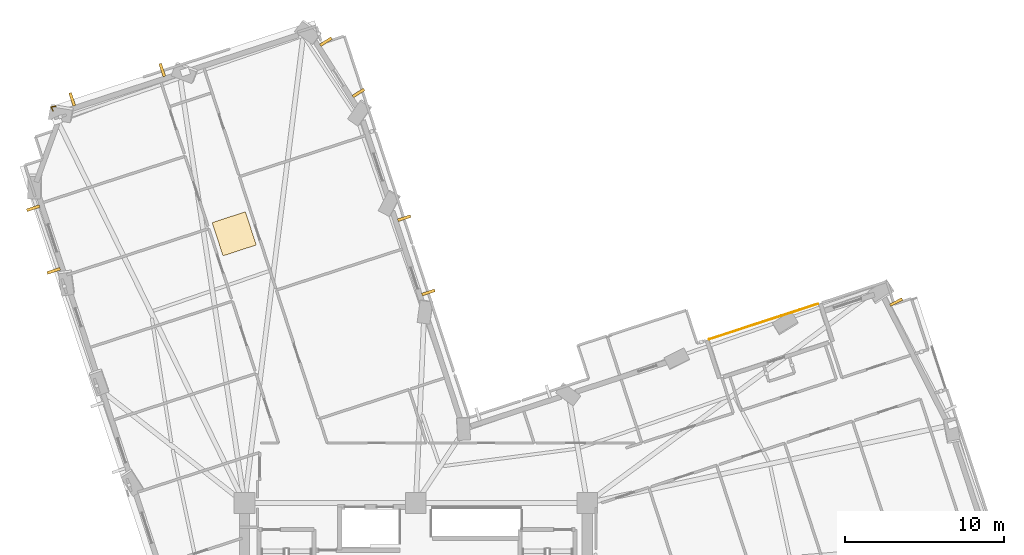
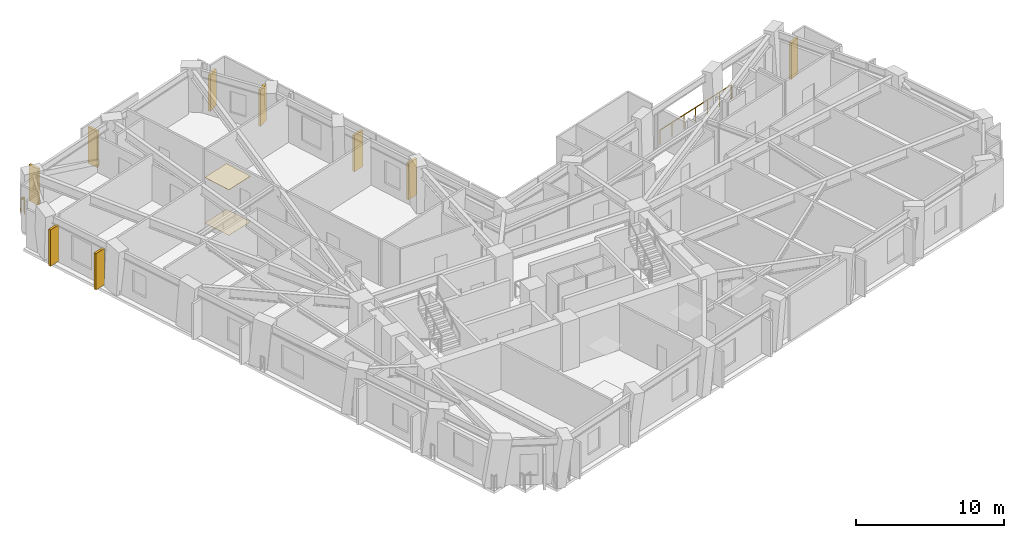
# One storey, part 15 of 16: 9 shading devices, 2 coverings, 2 railings.
"""IFC4 building model written with IfcOpenShell, lengths in metres."""

import ifcopenshell
import ifcopenshell.guid

model = None  # the IFC model being written
_history = None  # IfcOwnerHistory: only IFC2X3 demands one
_inside = {}  # id of a spatial element -> (the spatial element, [elements in it])
_under = {}  # id of a project, library or spatial element -> (it, [spatial elements below it])
_declared = {}  # id of a project -> (the project, [libraries it declares])
_typed = {}  # id of a type object -> (the type object, [elements of that type])
_made_of = {}  # id of a material, layer set ... -> (it, [elements and type objects made of it])


def new_model(schema):
    """Start an empty IFC model of exactly this schema.

    Asked for "IFC4X3", IfcOpenShell would pick the latest addendum, in which some entities
    have other attributes; the version numbers below select the first issue.
    IFC2X3 requires an IfcOwnerHistory on every rooted entity: one is made here for all.
    """
    global model, _history
    if schema == "IFC4X3":
        model = ifcopenshell.file(schema_version=(4, 3, 0, 0))
    else:
        model = ifcopenshell.file(schema=schema)
    _inside.clear()
    _under.clear()
    _declared.clear()
    _typed.clear()
    _made_of.clear()
    _history = None
    if model.schema == "IFC2X3":
        org = make("IfcOrganization", Name="unknown")
        user = make(
            "IfcPersonAndOrganization",
            ThePerson=make("IfcPerson", FamilyName="unknown"),
            TheOrganization=org,
        )
        app = make(
            "IfcApplication",
            ApplicationDeveloper=org,
            Version="unknown",
            ApplicationFullName="unknown",
            ApplicationIdentifier="unknown",
        )
        _history = make(
            "IfcOwnerHistory",
            OwningUser=user,
            OwningApplication=app,
            ChangeAction="ADDED",
            CreationDate=0,
        )
    return model


def make(cls, **values):
    """One entity of the class cls with the attributes given. An attribute that is None is left unset."""
    return model.create_entity(
        cls, **{name: value for name, value in values.items() if value is not None}
    )


def rooted(cls, **values):
    """An entity with a GlobalId (a new one), such as an element, a storey or a relation."""
    return make(cls, GlobalId=ifcopenshell.guid.new(), OwnerHistory=_history, **values)


def si_unit(unit_type, name, prefix=None):
    """IfcSIUnit, for example si_unit("LENGTHUNIT", "METRE", prefix="MILLI")."""
    return make("IfcSIUnit", UnitType=unit_type, Prefix=prefix, Name=name)


def assignment(units):
    """IfcUnitAssignment: the units of a project."""
    return None if units is None else make("IfcUnitAssignment", Units=units)


def point(xyz):
    """IfcCartesianPoint."""
    return None if xyz is None else make("IfcCartesianPoint", Coordinates=xyz)


def direction(xyz):
    """IfcDirection."""
    return None if xyz is None else make("IfcDirection", DirectionRatios=xyz)


def frame(location, z_axis=None, x_axis=None):
    """IfcAxis2Placement3D, a coordinate frame: its origin and axes. An axis left out is left unset."""
    return make(
        "IfcAxis2Placement3D",
        Location=point(location),
        Axis=direction(z_axis),
        RefDirection=direction(x_axis),
    )


def frame_2d(location, x_axis=None):
    """IfcAxis2Placement2D, a coordinate frame in the plane: its origin and x axis."""
    return make(
        "IfcAxis2Placement2D", Location=point(location), RefDirection=direction(x_axis)
    )


def origin():
    """The frame at (0, 0, 0) with its axes left unset."""
    return frame((0.0, 0.0, 0.0))


def origin_2d():
    """The frame at (0, 0) in the plane with its x axis left unset."""
    return frame_2d((0.0, 0.0))


def place(relative_to, where):
    """IfcLocalPlacement: puts the frame where relative to a parent placement (None: the world)."""
    return make(
        "IfcLocalPlacement", PlacementRelTo=relative_to, RelativePlacement=where
    )


def context(
    kind, dimensions, precision=None, world=None, true_north=None, identifier=None
):
    """IfcGeometricRepresentationContext, for example the 3D "Model" context."""
    return make(
        "IfcGeometricRepresentationContext",
        ContextIdentifier=identifier,
        ContextType=kind,
        CoordinateSpaceDimension=dimensions,
        Precision=precision,
        WorldCoordinateSystem=world,
        TrueNorth=true_north,
    )


def subcontext(parent, identifier, kind, view, scale=None):
    """IfcGeometricRepresentationSubContext, for example "Body" below "Model"."""
    return make(
        "IfcGeometricRepresentationSubContext",
        ContextIdentifier=identifier,
        ContextType=kind,
        ParentContext=parent,
        TargetScale=scale,
        TargetView=view,
    )


def project(units=None, contexts=None):
    """IfcProject with its units and contexts."""
    return rooted(
        "IfcProject",
        Name="project",
        RepresentationContexts=contexts,
        UnitsInContext=assignment(units),
    )


def spatial(cls, under=None, at=None, **own):
    """A site, building, storey or space (cls), placed at a placement, below another one or the project."""
    s = rooted(cls, ObjectPlacement=at, **own)
    if under is not None:
        _under.setdefault(under.id(), (under, []))[1].append(s)
    return s


def profile(cls, at=None, kind="AREA", **sizes):
    """A parametric profile (cls). Its sizes go by their IFC names, for example OverallWidth=200.0."""
    return make(cls, ProfileType=kind, Position=at, **sizes)


def rectangle(**sizes):
    """IfcRectangleProfileDef."""
    return profile("IfcRectangleProfileDef", **sizes)


def circle(**sizes):
    """IfcCircleProfileDef."""
    return profile("IfcCircleProfileDef", **sizes)


def extrude(swept, where, along, depth):
    """IfcExtrudedAreaSolid: the profile swept, set in the frame where, extruded along a direction by depth."""
    return make(
        "IfcExtrudedAreaSolid",
        SweptArea=swept,
        Position=where,
        ExtrudedDirection=direction(along),
        Depth=depth,
    )


def shape(context_of_items, identifier, shape_type, items):
    """IfcShapeRepresentation: the items that make up one representation, for example the "Body"."""
    return make(
        "IfcShapeRepresentation",
        ContextOfItems=context_of_items,
        RepresentationIdentifier=identifier,
        RepresentationType=shape_type,
        Items=items,
    )


def material(Name=None, Category=None):
    """IfcMaterial."""
    return make("IfcMaterial", Name=Name, Category=Category)


def layer(
    of_material, thickness, ventilated=None, Name=None, Category=None, Priority=None
):
    """IfcMaterialLayer: one layer of a wall or slab, of a material (None: an air gap)."""
    return make(
        "IfcMaterialLayer",
        Material=of_material,
        LayerThickness=thickness,
        IsVentilated=ventilated,
        Name=Name,
        Category=Category,
        Priority=Priority,
    )


def layer_set(layers, Name=None):
    """IfcMaterialLayerSet."""
    return make("IfcMaterialLayerSet", MaterialLayers=layers, LayerSetName=Name)


def made_of(thing, what):
    """Note that an element or type object is made of a material, layer set ...; save() writes the relation."""
    if what is not None:
        _made_of.setdefault(what.id(), (what, []))[1].append(thing)
    return thing


def type_object(cls, material=None, **own):
    """A type object (cls), such as IfcWallType, which elements share."""
    return made_of(rooted(cls, **own), material)


def element(
    cls,
    number,
    at=None,
    inside=None,
    cuts=None,
    type_object=None,
    material=None,
    context=None,
    identifier="Body",
    shape_type=None,
    held_by="IfcProductDefinitionShape",
    body=None,
    shapes=None,
    **own,
):
    """One element of the class cls, such as IfcWall. Its Tag is "e" and its number.

    at: its placement. inside: the storey or other place that contains it. cuts: it is an
    opening in that element (IfcRelVoidsElement). A single representation is given by context,
    identifier, shape_type and body (its items); several are given by shapes. held_by: the class
    of the entity that holds the representations. save() writes the other relations.
    """
    e = rooted(cls, Tag="e%d" % number, ObjectPlacement=at, **own)
    if body is not None:
        shapes = [shape(context, identifier, shape_type, body)]
    if shapes is not None:
        e.Representation = make(held_by, Representations=shapes)
    if inside is not None:
        _inside.setdefault(inside.id(), (inside, []))[1].append(e)
    if cuts is not None:
        rooted(
            "IfcRelVoidsElement", RelatingBuildingElement=cuts, RelatedOpeningElement=e
        )
    if type_object is not None:
        _typed.setdefault(type_object.id(), (type_object, []))[1].append(e)
    return made_of(e, material)


def aggregate(whole, parts):
    """IfcRelAggregates: a whole, such as a stair, and the parts it consists of."""
    return rooted("IfcRelAggregates", RelatingObject=whole, RelatedObjects=parts)


def save(model, path):
    """Write the relations noted so far, then the file.

    IfcRelAggregates (storeys below a building ...), IfcRelContainedInSpatialStructure (elements
    in a storey), IfcRelDefinesByType, IfcRelAssociatesMaterial and IfcRelDeclares: one each for
    every whole, place, type object, material and project.
    """
    for whole, parts in _under.values():
        aggregate(whole, parts)
    for where, things in _inside.values():
        rooted(
            "IfcRelContainedInSpatialStructure",
            RelatedElements=things,
            RelatingStructure=where,
        )
    for kind, things in _typed.values():
        rooted("IfcRelDefinesByType", RelatedObjects=things, RelatingType=kind)
    for what, things in _made_of.values():
        rooted("IfcRelAssociatesMaterial", RelatedObjects=things, RelatingMaterial=what)
    for by, libraries in _declared.values():
        rooted("IfcRelDeclares", RelatingContext=by, RelatedDefinitions=libraries)
    model.write(path)


model = new_model("IFC4")

# Units and contexts
model_context = context("Model", 3, precision=1e-05, world=origin(), true_north=direction((0.0, 1.0)))
body_context = subcontext(model_context, "Body", "Model", "MODEL_VIEW")
ifc_project = project(units=[si_unit("LENGTHUNIT", "METRE"), si_unit("AREAUNIT", "SQUARE_METRE"), si_unit("VOLUMEUNIT", "CUBIC_METRE"), si_unit("PLANEANGLEUNIT", "RADIAN"), si_unit("MASSUNIT", "GRAM", prefix="KILO")], contexts=[model_context])

# Site, building, storey
site_placement = place(None, origin())
site = spatial("IfcSite", under=ifc_project, at=site_placement, CompositionType="ELEMENT")
building_placement = place(site_placement, origin())
building = spatial("IfcBuilding", under=site, at=building_placement, Name="Gaonmaruhae Medical Tower", CompositionType="ELEMENT")
storey_placement = place(building_placement, frame((0.0, 0.0, 100.39990234375)))
storey = spatial("IfcBuildingStorey", under=building, at=storey_placement, Name="L23", CompositionType="ELEMENT", Elevation=100.39990234375)

# Coverings
ifc_material_1 = material(Name="Acoustic mineral ceiling tile", Category="finish")
ifc_layer_1 = layer(ifc_material_1, 0.02490234375)
ifc_layer_set_1 = layer_set([ifc_layer_1], Name="Acoustic mineral ceiling tile")
covering_type_1 = type_object("IfcCoveringType", Name="CLG-01 Antimicrobial Acoustic Mineral Ceiling", PredefinedType="CEILING", material=ifc_layer_set_1)
covering_1_placement = place(storey_placement, frame((13.351318359375, 33.762939453125, 3.755126953125), z_axis=(0.0, 0.0, 1.0), x_axis=(0.950786485994, 0.309846829984, 0.0)))
element("IfcCovering", 1, at=covering_1_placement, inside=storey, type_object=covering_type_1, Name="L23 Clinical Corridor Acoustic Ceiling", PredefinedType="CEILING", context=body_context, shape_type="SweptSolid", body=[
    extrude(rectangle(XDim=2.199951171875, YDim=2.199951171875, at=origin_2d()), origin(), (0.0, 0.0, 1.0), 0.02490234375),
])
ifc_material_2 = material(Name="Seamless clinical vinyl flooring", Category="finish")
ifc_layer_2 = layer(ifc_material_2, 0.014892578125)
ifc_layer_set_2 = layer_set([ifc_layer_2], Name="Seamless clinical vinyl flooring")
covering_type_2 = type_object("IfcCoveringType", Name="FLR-01 Seamless Clinical Antistatic Vinyl Flooring", PredefinedType="FLOORING", material=ifc_layer_set_2)
covering_2_placement = place(storey_placement, frame((13.351318359375, 33.762939453125, 0.00048828125), z_axis=(0.0, 0.0, 1.0), x_axis=(0.950786485994, 0.309846829984, 0.0)))
element("IfcCovering", 2, at=covering_2_placement, inside=storey, type_object=covering_type_2, Name="L23 Clinical Corridor Vinyl Flooring", PredefinedType="FLOORING", context=body_context, shape_type="SweptSolid", body=[
    extrude(rectangle(XDim=2.199951171875, YDim=2.199951171875, at=origin_2d()), origin(), (0.0, 0.0, 1.0), 0.014892578125),
])

# Railings
ifc_material_3 = material(Name="Stainless steel 316L and laminated safety glass", Category="steel")
ifc_layer_3 = layer(ifc_material_3, 0.080078125)
ifc_layer_set_3 = layer_set([ifc_layer_3], Name="Stainless steel 316L and laminated safety glass")
railing_type = type_object("IfcRailingType", Name="GD-120 Outdoor Terrace Safety Glass & Steel Balustrade", PredefinedType="BALUSTRADE", material=ifc_layer_set_3)
railing_1_placement = place(storey_placement, frame((50.1328125, 29.346435546875, 0.0)))
element("IfcRailing", 3, at=railing_1_placement, inside=storey, type_object=railing_type, Name="L23 Terrace Safety Guard RL-SLB-L23-TER-03", PredefinedType="BALUSTRADE", context=body_context, shape_type="SweptSolid", body=[
    extrude(circle(Radius=0.02392578125, at=origin_2d()), frame((0.0, 0.0, 1.17578125), z_axis=(-0.950781320329, -0.309862680736, 0.0), x_axis=(0.309862680736, -0.950781320329, 0.0)), (0.0, 0.0, 1.0), 7.19970703125),
    extrude(circle(Radius=0.02099609375, at=origin_2d()), origin(), (0.0, 0.0, 1.0), 1.15185546875),
    extrude(circle(Radius=0.02099609375, at=origin_2d()), frame((-1.140869140625, -0.371826171875, 0.0)), (0.0, 0.0, 1.0), 1.15185546875),
    extrude(circle(Radius=0.02099609375, at=origin_2d()), frame((-2.28173828125, -0.74365234375, 0.0)), (0.0, 0.0, 1.0), 1.15185546875),
    extrude(circle(Radius=0.02099609375, at=origin_2d()), frame((-3.4228515625, -1.115478515625, 0.0)), (0.0, 0.0, 1.0), 1.15185546875),
    extrude(circle(Radius=0.02099609375, at=origin_2d()), frame((-4.563720703125, -1.4873046875, 0.0)), (0.0, 0.0, 1.0), 1.15185546875),
    extrude(circle(Radius=0.02099609375, at=origin_2d()), frame((-5.70458984375, -1.859130859375, 0.0)), (0.0, 0.0, 1.0), 1.15185546875),
    extrude(circle(Radius=0.02099609375, at=origin_2d()), frame((-6.845458984375, -2.23095703125, 0.0)), (0.0, 0.0, 1.0), 1.15185546875),
])
railing_2_placement = place(storey_placement, frame((1.93994140625, 41.49169921875, 0.0)))
element("IfcRailing", 4, at=railing_2_placement, inside=storey, type_object=railing_type, Name="L23 Perimeter Corner Safety Balustrade 14", PredefinedType="BALUSTRADE", context=body_context, shape_type="SweptSolid", body=[
    extrude(circle(Radius=0.02392578125, at=origin_2d()), frame((0.0, 0.0, 1.17578125), z_axis=(-0.42325765519, 0.906009358298, 0.0), x_axis=(-0.906009358298, -0.42325765519, 0.0)), (0.0, 0.0, 1.0), 0.287353515625),
    extrude(circle(Radius=0.02392578125, at=origin_2d()), frame((-0.12158203125, 0.26025390625, 1.17578125), z_axis=(0.981517877176, 0.191370469987, 0.0), x_axis=(-0.191370469987, 0.981517877176, 0.0)), (0.0, 0.0, 1.0), 0.287109375),
    extrude(circle(Radius=0.02099609375, at=origin_2d()), origin(), (0.0, 0.0, 1.0), 1.15185546875),
    extrude(circle(Radius=0.02099609375, at=origin_2d()), frame((-0.12158203125, 0.26025390625, 0.0)), (0.0, 0.0, 1.0), 1.15185546875),
    extrude(circle(Radius=0.02099609375, at=origin_2d()), frame((0.16015625, 0.315185546875, 0.0)), (0.0, 0.0, 1.0), 1.15185546875),
])

# Shading devices
ifc_material_4 = material(Name="Pigmented coral precast concrete C45/55", Category="concrete")
shading_device_type = type_object("IfcShadingDeviceType", Name="SD-FIN1 Tower Vertical Coral Precast Shading Fin", PredefinedType="USERDEFINED", material=ifc_material_4)
for number, where, z_axis, x_axis, name in (
    (5, (55.07080078125, 29.45654296875, 0.08251953125), (0.0, 0.0, 1.0), (0.451500573218, -0.892270829056, 0.0), "L23 Vertical Coral Precast Shading Fin E02"),
    (6, (24.06396484375, 34.74609375, 0.08251953125), (0.0, 0.0, 1.0), (0.309846829984, -0.950786485994, 0.0), "L23 Vertical Coral Precast Shading Fin NE01"),
    (7, (25.589111328125, 30.065673828125, 0.08251953125), (0.0, 0.0, 1.0), (0.309846829984, -0.950786485994, 0.0), "L23 Vertical Coral Precast Shading Fin NE01B"),
    (8, (19.1318359375, 45.87060546875, 0.08251953125), (0.0, 0.0, 1.0), (0.536283541899, -0.844037891737, 0.0), "L23 Vertical Coral Precast Shading Fin NE03"),
    (9, (21.18505859375, 42.63916015625, 0.08251953125), (0.0, 0.0, 1.0), (0.536283541899, -0.844037891737, 0.0), "L23 Vertical Coral Precast Shading Fin NE03B"),
    (10, (3.1416015625, 42.235595703125, 0.08251953125), (0.0, 0.0, 1.0), (0.950786485994, 0.309846829984, 0.0), "L23 Vertical Coral Precast Shading Fin N02"),
    (11, (8.81787109375, 44.08544921875, 0.08251953125), (0.0, 0.0, 1.0), (0.950786485994, 0.309846829984, 0.0), "L23 Vertical Coral Precast Shading Fin N02B"),
    (12, (1.974609375, 31.428955078125, 0.08251953125), (0.0, 0.0, 1.0), (-0.309846829984, 0.950786485994, 0.0), "L23 Vertical Coral Precast Shading Fin W01"),
    (13, (0.68701171875, 35.380126953125, 0.08251953125), (0.0, 0.0, 1.0), (-0.309846829984, 0.950786485994, 0.0), "L23 Vertical Coral Precast Shading Fin W01B"),
):
    element("IfcShadingDevice", number, at=place(storey_placement, frame(where, z_axis=z_axis, x_axis=x_axis)), inside=storey, type_object=shading_device_type, Name=name, ObjectType="FIN", PredefinedType="USERDEFINED", context=body_context, shape_type="SweptSolid", body=[
        extrude(rectangle(XDim=0.179931640625, YDim=0.85009765625, at=origin_2d()), origin(), (0.0, 0.0, 1.0), 3.0),
    ])

save(model, "model.ifc")
